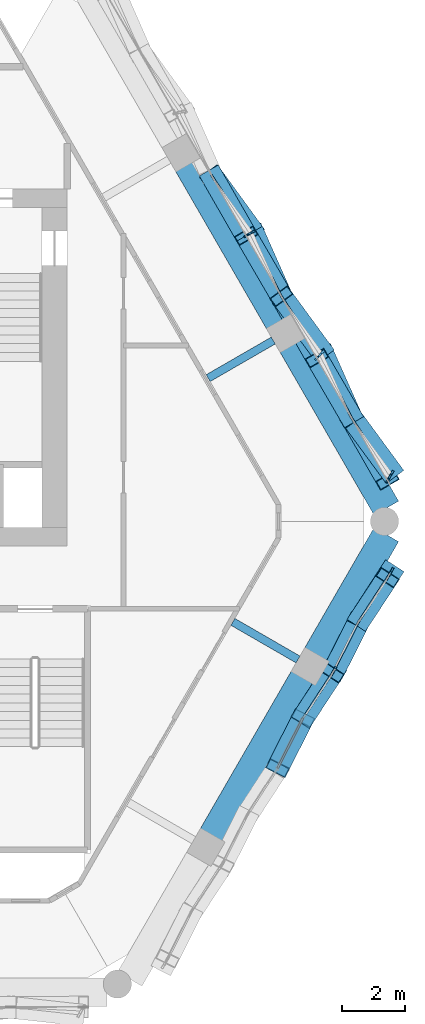
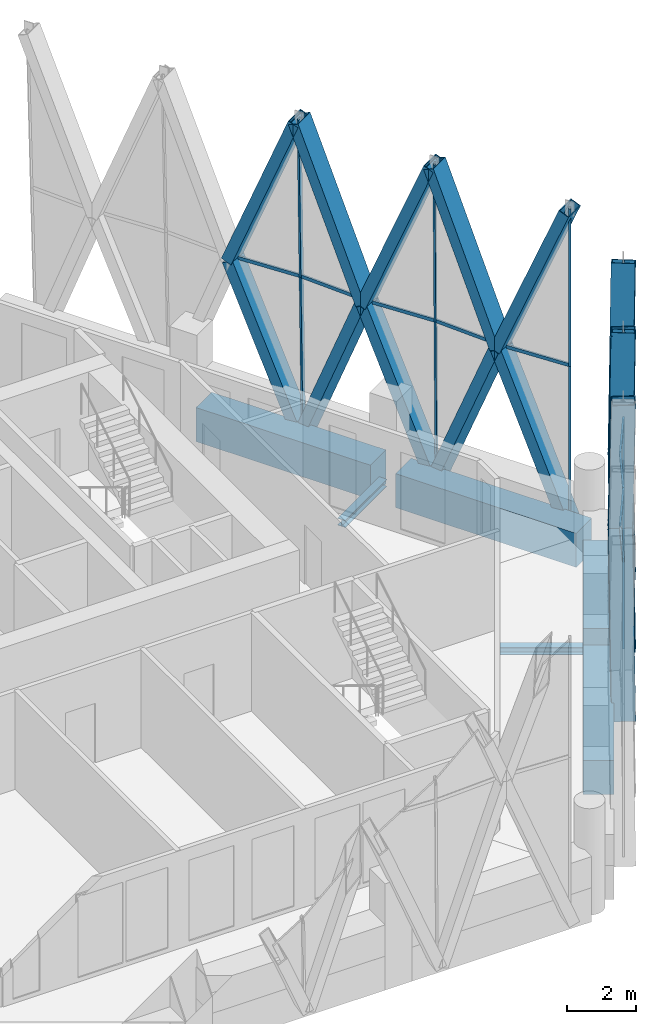
# One storey, part 8 of 21: 37 members, 6 beams, 4 elements without a shape of their own.
"""IFC4 building model written with IfcOpenShell, lengths in metres."""

from ifc_helpers import new_model, si_unit, direction, frame, origin, origin_2d, place, context, subcontext, project, spatial, rectangle, hollow_rectangle, i_section, extrude, material, material_profile, profile_set, type_object, element, aggregate, save


model = new_model("IFC4")

# Units and contexts
model_context = context("Model", 3, precision=1e-05, world=origin(), true_north=direction((0.0, 1.0)))
body_context = subcontext(model_context, "Body", "Model", "MODEL_VIEW")
ifc_project = project(units=[si_unit("LENGTHUNIT", "METRE"), si_unit("AREAUNIT", "SQUARE_METRE"), si_unit("VOLUMEUNIT", "CUBIC_METRE"), si_unit("PLANEANGLEUNIT", "RADIAN"), si_unit("MASSUNIT", "GRAM", prefix="KILO")], contexts=[model_context])

# Site, building, storey
site_placement = place(None, origin())
site = spatial("IfcSite", under=ifc_project, at=site_placement, CompositionType="ELEMENT")
building_placement = place(site_placement, origin())
building = spatial("IfcBuilding", under=site, at=building_placement, Name="Ostrander Bayou Hotel Tower", CompositionType="ELEMENT")
storey_placement = place(building_placement, frame((0.0, 0.0, 256.25)))
storey = spatial("IfcBuildingStorey", under=building, at=storey_placement, Name="L63", CompositionType="ELEMENT", Elevation=256.25)

# Curtain wall, members
ifc_material_1 = material(Name="Aluminium and clear glass", Category="aluminium")
curtain_wall_type = type_object("IfcCurtainWallType", Name="CW-LAT lattice glazing", PredefinedType="NOTDEFINED", material=ifc_material_1)
curtain_wall_1_placement = place(storey_placement, origin())
curtain_wall_1 = element("IfcCurtainWall", 1, at=curtain_wall_1_placement, inside=storey, type_object=curtain_wall_type, Name="CW-LAT L63 SE 1", PredefinedType="NOTDEFINED")
ifc_material_2 = material(Name="Aluminium", Category="aluminium")
ifc_material_profile_1 = material_profile(ifc_material_2, hollow_rectangle(XDim=0.06005859375, YDim=0.159912109375, WallThickness=0.00390625, at=origin_2d()))
ifc_profile_set_1 = profile_set([ifc_material_profile_1], Name="Aluminium")
member_type_1 = type_object("IfcMemberType", Name="CW-LA mullion 60 x 160 mm", PredefinedType="MULLION", material=ifc_profile_set_1)
member_1_placement = place(storey_placement, frame((17.041259765625, -5.623779296875, -0.60009765625), z_axis=(-0.006292904751, -0.010893235121, 0.999920865258), x_axis=(0.865898279276, -0.500220121494, 0.0)))
member_1 = element("IfcMember", 2, at=member_1_placement, type_object=member_type_1, Name="CW-LAT mullion 12", PredefinedType="MULLION", context=body_context, shape_type="SweptSolid", body=[
    extrude(hollow_rectangle(XDim=0.06005859375, YDim=0.159912109375, WallThickness=0.00390625, at=origin_2d()), origin(), (0.0, 0.0, 1.0), 5.62548828125),
])
member_2_placement = place(storey_placement, frame((17.005859375, -5.68505859375, 5.02490234375), z_axis=(-0.00629290177, -0.010936629283, 0.999920391595), x_axis=(0.866757633554, -0.498729590736, 0.0)))
member_2 = element("IfcMember", 3, at=member_2_placement, type_object=member_type_1, Name="CW-LAT mullion 13", PredefinedType="MULLION", context=body_context, shape_type="SweptSolid", body=[
    extrude(hollow_rectangle(XDim=0.06005859375, YDim=0.159912109375, WallThickness=0.00390625, at=origin_2d()), origin(), (0.0, 0.0, 1.0), 5.62548828125),
])
member_3_placement = place(storey_placement, frame((18.866455078125, -2.46240234375, -0.60009765625), z_axis=(-0.012626192954, -0.021824656549, 0.999682081273), x_axis=(0.865583332221, -0.500764909893, 0.0)))
member_3 = element("IfcMember", 4, at=member_3_placement, type_object=member_type_1, Name="CW-LAT mullion 16", PredefinedType="MULLION", context=body_context, shape_type="SweptSolid", body=[
    extrude(hollow_rectangle(XDim=0.06005859375, YDim=0.159912109375, WallThickness=0.00390625, at=origin_2d()), origin(), (0.0, 0.0, 1.0), 5.626708984375),
])
member_4_placement = place(storey_placement, frame((18.79541015625, -2.585205078125, 5.02490234375), z_axis=(-0.012582810856, -0.021824668484, 0.999682627996), x_axis=(0.866328918095, -0.499473928922, 0.0)))
member_4 = element("IfcMember", 5, at=member_4_placement, type_object=member_type_1, Name="CW-LAT mullion 17", PredefinedType="MULLION", context=body_context, shape_type="SweptSolid", body=[
    extrude(hollow_rectangle(XDim=0.06005859375, YDim=0.159912109375, WallThickness=0.00390625, at=origin_2d()), origin(), (0.0, 0.0, 1.0), 5.626708984375),
])
aggregate(curtain_wall_1, [member_1, member_2, member_3, member_4])

curtain_wall_2_placement = place(storey_placement, origin())
curtain_wall_2 = element("IfcCurtainWall", 6, at=curtain_wall_2_placement, inside=storey, type_object=curtain_wall_type, Name="CW-LAT L63 NE 1", PredefinedType="NOTDEFINED")
member_5_placement = place(storey_placement, frame((18.866455078125, 0.640380859375, -0.60009765625), z_axis=(-0.012626204898, -0.021781288175, 0.999683026982), x_axis=(0.865150838603, -0.501511741103, 0.0)))
member_5 = element("IfcMember", 7, at=member_5_placement, type_object=member_type_1, Name="CW-LAT mullion 1", PredefinedType="MULLION", context=body_context, shape_type="SweptSolid", body=[
    extrude(hollow_rectangle(XDim=0.06005859375, YDim=0.159912109375, WallThickness=0.00390625, at=origin_2d()), origin(), (0.0, 0.0, 1.0), 5.626708984375),
])
member_6_placement = place(storey_placement, frame((18.79541015625, 0.517822265625, 5.02490234375), z_axis=(-0.012582810856, -0.021824668484, 0.999682627996), x_axis=(0.866328918095, -0.499473928922, 0.0)))
member_6 = element("IfcMember", 8, at=member_6_placement, type_object=member_type_1, Name="CW-LAT mullion 2", PredefinedType="MULLION", context=body_context, shape_type="SweptSolid", body=[
    extrude(hollow_rectangle(XDim=0.06005859375, YDim=0.159912109375, WallThickness=0.00390625, at=origin_2d()), origin(), (0.0, 0.0, 1.0), 5.626708984375),
])
member_7_placement = place(storey_placement, frame((16.646728515625, 4.485107421875, -0.60009765625), z_axis=(-0.015751145303, -0.016358627491, 0.999742115112), x_axis=(0.720355571769, -0.693604966982, 0.0)))
member_7 = element("IfcMember", 9, at=member_7_placement, type_object=member_type_1, Name="CW-LAT mullion 4", PredefinedType="MULLION", context=body_context, shape_type="SweptSolid", body=[
    extrude(hollow_rectangle(XDim=0.06005859375, YDim=0.159912109375, WallThickness=0.00390625, at=origin_2d()), origin(), (0.0, 0.0, 1.0), 5.62646484375),
])
member_8_placement = place(storey_placement, frame((16.55810546875, 4.39306640625, 5.02490234375), z_axis=(-0.015751134108, -0.016402007418, 0.999741404528), x_axis=(0.721272918752, -0.692650977531, 0.0)))
member_8 = element("IfcMember", 10, at=member_8_placement, type_object=member_type_1, Name="CW-LAT mullion 5", PredefinedType="MULLION", context=body_context, shape_type="SweptSolid", body=[
    extrude(hollow_rectangle(XDim=0.06005859375, YDim=0.159912109375, WallThickness=0.00390625, at=origin_2d()), origin(), (0.0, 0.0, 1.0), 5.62646484375),
])
member_9_placement = place(storey_placement, frame((14.427001953125, 8.32958984375, -0.60009765625), z_axis=(-0.018875715587, -0.010934897306, 0.999762039378), x_axis=(0.501271486133, -0.865290065348, 0.0)))
member_9 = element("IfcMember", 11, at=member_9_placement, type_object=member_type_1, Name="CW-LAT mullion 8", PredefinedType="MULLION", context=body_context, shape_type="SweptSolid", body=[
    extrude(hollow_rectangle(XDim=0.06005859375, YDim=0.159912109375, WallThickness=0.00390625, at=origin_2d()), origin(), (0.0, 0.0, 1.0), 5.626220703125),
])
member_10_placement = place(storey_placement, frame((14.32080078125, 8.26806640625, 5.02490234375), z_axis=(-0.018875724526, -0.010891510014, 0.999762512817), x_axis=(0.499779910804, -0.866152435058, 0.0)))
member_10 = element("IfcMember", 12, at=member_10_placement, type_object=member_type_1, Name="CW-LAT mullion 9", PredefinedType="MULLION", context=body_context, shape_type="SweptSolid", body=[
    extrude(hollow_rectangle(XDim=0.06005859375, YDim=0.159912109375, WallThickness=0.00390625, at=origin_2d()), origin(), (0.0, 0.0, 1.0), 5.626220703125),
])
aggregate(curtain_wall_2, [member_5, member_6, member_7, member_8, member_9, member_10])

curtain_wall_3_placement = place(storey_placement, origin())
curtain_wall_3 = element("IfcCurtainWall", 13, at=curtain_wall_3_placement, inside=storey, type_object=curtain_wall_type, Name="CW-LAT L63 SE 2", PredefinedType="NOTDEFINED")
ifc_material_3 = material(Name="Aluminium", Category="aluminium")
ifc_material_profile_2 = material_profile(ifc_material_3, hollow_rectangle(XDim=0.06005859375, YDim=0.1201171875, WallThickness=0.00390625, at=origin_2d()))
ifc_profile_set_2 = profile_set([ifc_material_profile_2], Name="Aluminium")
member_type_2 = type_object("IfcMemberType", Name="CW-LA transom 60 x 120 mm", PredefinedType="USERDEFINED", material=ifc_profile_set_2)
member_11_placement = place(storey_placement, frame((15.216064453125, -8.784912109375, 5.02490234375), z_axis=(0.453088894206, 0.891465340856, 0.0), x_axis=(-0.891465340856, 0.453088894206, 0.0)))
member_11 = element("IfcMember", 14, at=member_11_placement, type_object=member_type_2, Name="CW-LAT transom 11", ObjectType="TRANSOM", PredefinedType="USERDEFINED", context=body_context, shape_type="SweptSolid", body=[
    extrude(hollow_rectangle(XDim=0.06005859375, YDim=0.1201171875, WallThickness=0.00390625, at=origin_2d()), origin(), (0.0, 0.0, 1.0), 1.792236328125),
])
member_12_placement = place(storey_placement, frame((17.005859375, -5.68505859375, 5.02490234375), z_axis=(-0.545519674229, -0.838098016362, 0.0), x_axis=(0.838098016362, -0.545519674229, 0.0)))
member_12 = element("IfcMember", 15, at=member_12_placement, type_object=member_type_2, Name="CW-LAT transom 14", ObjectType="TRANSOM", PredefinedType="USERDEFINED", context=body_context, shape_type="SweptSolid", body=[
    extrude(hollow_rectangle(XDim=0.06005859375, YDim=0.1201171875, WallThickness=0.00390625, at=origin_2d()), origin(), (0.0, 0.0, 1.0), 1.79248046875),
])
member_13_placement = place(storey_placement, frame((17.005859375, -5.68505859375, 5.02490234375), z_axis=(0.453088894206, 0.891465340856, 0.0), x_axis=(-0.891465340856, 0.453088894206, 0.0)))
member_13 = element("IfcMember", 16, at=member_13_placement, type_object=member_type_2, Name="CW-LAT transom 15", ObjectType="TRANSOM", PredefinedType="USERDEFINED", context=body_context, shape_type="SweptSolid", body=[
    extrude(hollow_rectangle(XDim=0.06005859375, YDim=0.1201171875, WallThickness=0.00390625, at=origin_2d()), origin(), (0.0, 0.0, 1.0), 1.792236328125),
])
member_14_placement = place(storey_placement, frame((18.79541015625, -2.585205078125, 5.02490234375), z_axis=(-0.545423988773, -0.83816029044, 0.0), x_axis=(0.83816029044, -0.545423988773, 0.0)))
member_14 = element("IfcMember", 17, at=member_14_placement, type_object=member_type_2, Name="CW-LAT transom 18", ObjectType="TRANSOM", PredefinedType="USERDEFINED", context=body_context, shape_type="SweptSolid", body=[
    extrude(hollow_rectangle(XDim=0.06005859375, YDim=0.1201171875, WallThickness=0.00390625, at=origin_2d()), origin(), (0.0, 0.0, 1.0), 1.792236328125),
])
aggregate(curtain_wall_3, [member_11, member_12, member_13, member_14])

curtain_wall_4_placement = place(storey_placement, origin())
curtain_wall_4 = element("IfcCurtainWall", 18, at=curtain_wall_4_placement, inside=storey, type_object=curtain_wall_type, Name="CW-LAT L63 NE 2", PredefinedType="NOTDEFINED")
member_15_placement = place(storey_placement, frame((18.79541015625, 0.517822265625, 5.02490234375), z_axis=(-0.544245005542, 0.838926322118, 0.0), x_axis=(-0.838926322118, -0.544245005542, 0.0)))
member_15 = element("IfcMember", 19, at=member_15_placement, type_object=member_type_2, Name="CW-LAT transom 3", ObjectType="TRANSOM", PredefinedType="USERDEFINED", context=body_context, shape_type="SweptSolid", body=[
    extrude(hollow_rectangle(XDim=0.06005859375, YDim=0.1201171875, WallThickness=0.00390625, at=origin_2d()), origin(), (0.0, 0.0, 1.0), 2.240234375),
])
member_16_placement = place(storey_placement, frame((16.55810546875, 4.39306640625, 5.02490234375), z_axis=(0.454390937547, -0.890802377565, 0.0), x_axis=(0.890802377565, 0.454390937547, 0.0)))
member_16 = element("IfcMember", 20, at=member_16_placement, type_object=member_type_2, Name="CW-LAT transom 6", ObjectType="TRANSOM", PredefinedType="USERDEFINED", context=body_context, shape_type="SweptSolid", body=[
    extrude(hollow_rectangle(XDim=0.06005859375, YDim=0.1201171875, WallThickness=0.00390625, at=origin_2d()), origin(), (0.0, 0.0, 1.0), 2.240478515625),
])
member_17_placement = place(storey_placement, frame((16.55810546875, 4.39306640625, 5.02490234375), z_axis=(-0.544245005542, 0.838926322118, 0.0), x_axis=(-0.838926322118, -0.544245005542, 0.0)))
member_17 = element("IfcMember", 21, at=member_17_placement, type_object=member_type_2, Name="CW-LAT transom 7", ObjectType="TRANSOM", PredefinedType="USERDEFINED", context=body_context, shape_type="SweptSolid", body=[
    extrude(hollow_rectangle(XDim=0.06005859375, YDim=0.1201171875, WallThickness=0.00390625, at=origin_2d()), origin(), (0.0, 0.0, 1.0), 2.240234375),
])
member_18_placement = place(storey_placement, frame((14.32080078125, 8.26806640625, 5.02490234375), z_axis=(0.454435047978, -0.890779875822, 0.0), x_axis=(0.890779875822, 0.454435047978, 0.0)))
member_18 = element("IfcMember", 22, at=member_18_placement, type_object=member_type_2, Name="CW-LAT transom 10", ObjectType="TRANSOM", PredefinedType="USERDEFINED", context=body_context, shape_type="SweptSolid", body=[
    extrude(hollow_rectangle(XDim=0.06005859375, YDim=0.1201171875, WallThickness=0.00390625, at=origin_2d()), origin(), (0.0, 0.0, 1.0), 2.240234375),
])
member_19_placement = place(storey_placement, frame((14.32080078125, 8.26806640625, 5.02490234375), z_axis=(-0.544271942736, 0.83890884627, 0.0), x_axis=(-0.83890884627, -0.544271942736, 0.0)))
member_19 = element("IfcMember", 23, at=member_19_placement, type_object=member_type_2, Name="CW-LAT transom 11", ObjectType="TRANSOM", PredefinedType="USERDEFINED", context=body_context, shape_type="SweptSolid", body=[
    extrude(hollow_rectangle(XDim=0.06005859375, YDim=0.1201171875, WallThickness=0.00390625, at=origin_2d()), origin(), (0.0, 0.0, 1.0), 2.240478515625),
])
aggregate(curtain_wall_4, [member_15, member_16, member_17, member_18, member_19])

# Beams
ifc_material_4 = material(Name="Steel ASTM A992", Category="steel")
ifc_material_profile_3 = material_profile(ifc_material_4, i_section(OverallWidth=0.25390625, OverallDepth=0.25341796875, WebThickness=0.008544921875, FlangeThickness=0.01416015625, at=origin_2d()))
ifc_profile_set_3 = profile_set([ifc_material_profile_3], Name="Steel ASTM A992")
beam_type_1 = type_object("IfcBeamType", Name="LB2 loggia bracket W10x49", PredefinedType="BEAM", material=ifc_profile_set_3)
beam_1_placement = place(storey_placement, frame((15.867431640625, -5.316650390625, -0.4267578125), z_axis=(-0.866024647952, 0.500001309137, 0.0), x_axis=(-0.500001309137, -0.866024647952, 0.0)))
element("IfcBeam", 24, at=beam_1_placement, inside=storey, type_object=beam_type_1, Name="LB2 L63 SE2", PredefinedType="BEAM", context=body_context, shape_type="SweptSolid", body=[
    extrude(i_section(OverallWidth=0.25390625, OverallDepth=0.25341796875, WebThickness=0.008544921875, FlangeThickness=0.01416015625, at=origin_2d()), origin(), (0.0, 0.0, 1.0), 2.39990234375),
])
beam_2_placement = place(storey_placement, frame((15.07861328125, 4.861083984375, -0.4267578125), z_axis=(-0.866050077142, -0.499957262057, 0.0), x_axis=(0.499957262057, -0.866050077142, 0.0)))
element("IfcBeam", 25, at=beam_2_placement, inside=storey, type_object=beam_type_1, Name="LB2 L63 NE1", PredefinedType="BEAM", context=body_context, shape_type="SweptSolid", body=[
    extrude(i_section(OverallWidth=0.25390625, OverallDepth=0.25341796875, WebThickness=0.008544921875, FlangeThickness=0.01416015625, at=origin_2d()), origin(), (0.0, 0.0, 1.0), 2.400146484375),
])

# Members
ifc_material_5 = material(Name="Steel ASTM A572 Gr 50", Category="steel")
ifc_material_profile_4 = material_profile(ifc_material_5, hollow_rectangle(XDim=0.699951171875, YDim=0.35009765625, WallThickness=0.02490234375, at=origin_2d()))
ifc_profile_set_4 = profile_set([ifc_material_profile_4], Name="Steel ASTM A572 Gr 50")
member_type_3 = type_object("IfcMemberType", Name="LT1 lattice member box 700 x 350 x 25 mm", PredefinedType="BRACE", material=ifc_profile_set_4)
for number, where, z_axis, x_axis, name in (
    (26, (16.028076171875, -7.187255859375, 5.02490234375), (-0.137545177887, -0.270624066173, -0.952808448141), (0.891465340856, -0.453088894206, 0.0), "LT1 L63 SE 9"),
    (27, (16.028076171875, -7.187255859375, 5.02490234375), (-0.137545177887, -0.270624066173, 0.952808448141), (0.891465340856, -0.453088894206, 0.0), "LT1 L63 SE 10"),
):
    element("IfcMember", number, at=place(storey_placement, frame(where, z_axis=z_axis, x_axis=x_axis)), inside=storey, type_object=member_type_3, Name=name, PredefinedType="BRACE", context=body_context, shape_type="SweptSolid", body=[
        extrude(hollow_rectangle(XDim=0.699951171875, YDim=0.35009765625, WallThickness=0.02490234375, at=origin_2d()), origin(), (0.0, 0.0, 1.0), 5.903564453125),
    ])
member_20_placement = place(storey_placement, frame((16.028076171875, -7.187255859375, 5.02490234375), z_axis=(0.170986839235, 0.263855353846, -0.949285970114), x_axis=(-0.839197287019, 0.543827098865, 0.0)))
element("IfcMember", 28, at=member_20_placement, inside=storey, type_object=member_type_3, Name="LT1 L63 SE 11", PredefinedType="BRACE", context=body_context, shape_type="SweptSolid", body=[
    extrude(hollow_rectangle(XDim=0.699951171875, YDim=0.35009765625, WallThickness=0.02490234375, at=origin_2d()), origin(), (0.0, 0.0, 1.0), 5.925537109375),
])
for number, where, z_axis, x_axis, name in (
    (29, (16.028076171875, -7.187255859375, 5.02490234375), (0.160200042577, 0.244906852654, 0.956219943256), (-0.836862169626, 0.547413654424, 0.0), "LT1 L63 SE 12"),
    (30, (17.81787109375, -4.08740234375, 5.02490234375), (-0.132019865957, -0.261176050445, -0.956220594668), (0.892461536076, -0.451123493764, 0.0), "LT1 L63 SE 13"),
):
    element("IfcMember", number, at=place(storey_placement, frame(where, z_axis=z_axis, x_axis=x_axis)), inside=storey, type_object=member_type_3, Name=name, PredefinedType="BRACE", context=body_context, shape_type="SweptSolid", body=[
        extrude(hollow_rectangle(XDim=0.699951171875, YDim=0.35009765625, WallThickness=0.02490234375, at=origin_2d()), origin(), (0.0, 0.0, 1.0), 5.882568359375),
    ])
member_21_placement = place(storey_placement, frame((17.81787109375, -4.08740234375, 5.02490234375), z_axis=(-0.143010951676, -0.280006461421, 0.949286178801), x_axis=(0.890567995839, -0.454850134426, 0.0)))
element("IfcMember", 31, at=member_21_placement, inside=storey, type_object=member_type_3, Name="LT1 L63 SE 14", PredefinedType="BRACE", context=body_context, shape_type="SweptSolid", body=[
    extrude(hollow_rectangle(XDim=0.699951171875, YDim=0.35009765625, WallThickness=0.02490234375, at=origin_2d()), origin(), (0.0, 0.0, 1.0), 5.925537109375),
])
member_22_placement = place(storey_placement, frame((17.81787109375, -4.08740234375, 5.02490234375), z_axis=(0.176286692119, 0.273193066996, -0.945668308831), x_axis=(-0.840250267661, 0.542198752945, 0.0)))
element("IfcMember", 32, at=member_22_placement, inside=storey, type_object=member_type_3, Name="LT1 L63 SE 15", PredefinedType="BRACE", context=body_context, shape_type="SweptSolid", body=[
    extrude(hollow_rectangle(XDim=0.699951171875, YDim=0.35009765625, WallThickness=0.02490234375, at=origin_2d()), origin(), (0.0, 0.0, 1.0), 5.9482421875),
])
member_23_placement = place(storey_placement, frame((17.81787109375, -4.08740234375, 5.02490234375), z_axis=(0.154675111336, 0.235302740724, 0.95953542412), x_axis=(-0.835627896196, 0.549295930349, 0.0)))
element("IfcMember", 33, at=member_23_placement, inside=storey, type_object=member_type_3, Name="LT1 L63 SE 16", PredefinedType="BRACE", context=body_context, shape_type="SweptSolid", body=[
    extrude(hollow_rectangle(XDim=0.699951171875, YDim=0.35009765625, WallThickness=0.02490234375, at=origin_2d()), origin(), (0.0, 0.0, 1.0), 5.8623046875),
])
member_24_placement = place(storey_placement, frame((17.576171875, 2.397216796875, 5.02490234375), z_axis=(0.213886074507, -0.291225012707, -0.932438061807), x_axis=(0.805981051021, 0.59194133611, 0.0)))
element("IfcMember", 34, at=member_24_placement, inside=storey, type_object=member_type_3, Name="LT1 L63 NE 1", PredefinedType="BRACE", context=body_context, shape_type="SweptSolid", body=[
    extrude(hollow_rectangle(XDim=0.699951171875, YDim=0.35009765625, WallThickness=0.02490234375, at=origin_2d()), origin(), (0.0, 0.0, 1.0), 6.032470703125),
])
member_25_placement = place(storey_placement, frame((17.576171875, 2.397216796875, 5.02490234375), z_axis=(0.188882822207, -0.329300175365, 0.925140353665), x_axis=(0.867434872711, 0.497550742743, 0.0)))
element("IfcMember", 35, at=member_25_placement, inside=storey, type_object=member_type_3, Name="LT1 L63 NE 2", PredefinedType="BRACE", context=body_context, shape_type="SweptSolid", body=[
    extrude(hollow_rectangle(XDim=0.699951171875, YDim=0.35009765625, WallThickness=0.02490234375, at=origin_2d()), origin(), (0.0, 0.0, 1.0), 6.080078125),
])
member_26_placement = place(storey_placement, frame((17.576171875, 2.397216796875, 5.02490234375), z_axis=(-0.15308160692, 0.343880720353, -0.926451332663), x_axis=(-0.913569102061, -0.406683532688, 0.0)))
element("IfcMember", 36, at=member_26_placement, inside=storey, type_object=member_type_3, Name="LT1 L63 NE 3", PredefinedType="BRACE", context=body_context, shape_type="SweptSolid", body=[
    extrude(hollow_rectangle(XDim=0.699951171875, YDim=0.35009765625, WallThickness=0.02490234375, at=origin_2d()), origin(), (0.0, 0.0, 1.0), 6.071533203125),
])
member_27_placement = place(storey_placement, frame((17.576171875, 2.397216796875, 5.02490234375), z_axis=(-0.183208290592, 0.315127959794, 0.931197664953), x_axis=(-0.864513909187, -0.502608894491, 0.0)))
element("IfcMember", 37, at=member_27_placement, inside=storey, type_object=member_type_3, Name="LT1 L63 NE 4", PredefinedType="BRACE", context=body_context, shape_type="SweptSolid", body=[
    extrude(hollow_rectangle(XDim=0.699951171875, YDim=0.35009765625, WallThickness=0.02490234375, at=origin_2d()), origin(), (0.0, 0.0, 1.0), 6.04052734375),
])
member_28_placement = place(storey_placement, frame((15.3388671875, 6.2724609375, 5.02490234375), z_axis=(0.216343178657, -0.295659587632, -0.930473555395), x_axis=(0.807021356526, 0.590522252003, 0.0)))
element("IfcMember", 38, at=member_28_placement, inside=storey, type_object=member_type_3, Name="LT1 L63 NE 5", PredefinedType="BRACE", context=body_context, shape_type="SweptSolid", body=[
    extrude(hollow_rectangle(XDim=0.699951171875, YDim=0.35009765625, WallThickness=0.02490234375, at=origin_2d()), origin(), (0.0, 0.0, 1.0), 6.04541015625),
])
member_29_placement = place(storey_placement, frame((15.3388671875, 6.2724609375, 5.02490234375), z_axis=(0.186360104934, -0.324993350777, 0.927172709499), x_axis=(0.867495200696, 0.497445551563, 0.0)))
element("IfcMember", 39, at=member_29_placement, inside=storey, type_object=member_type_3, Name="LT1 L63 NE 6", PredefinedType="BRACE", context=body_context, shape_type="SweptSolid", body=[
    extrude(hollow_rectangle(XDim=0.699951171875, YDim=0.35009765625, WallThickness=0.02490234375, at=origin_2d()), origin(), (0.0, 0.0, 1.0), 6.06689453125),
])
member_30_placement = place(storey_placement, frame((15.3388671875, 6.2724609375, 5.02490234375), z_axis=(-0.150513181786, 0.339551290423, -0.928466856318), x_axis=(-0.914209310493, -0.405242318383, 0.0)))
element("IfcMember", 40, at=member_30_placement, inside=storey, type_object=member_type_3, Name="LT1 L63 NE 7", PredefinedType="BRACE", context=body_context, shape_type="SweptSolid", body=[
    extrude(hollow_rectangle(XDim=0.699951171875, YDim=0.35009765625, WallThickness=0.02490234375, at=origin_2d()), origin(), (0.0, 0.0, 1.0), 6.058349609375),
])
member_31_placement = place(storey_placement, frame((15.3388671875, 6.2724609375, 5.02490234375), z_axis=(-0.185718467953, 0.319532556263, 0.929197285914), x_axis=(-0.864573340451, -0.502506655658, 0.0)))
element("IfcMember", 41, at=member_31_placement, inside=storey, type_object=member_type_3, Name="LT1 L63 NE 8", PredefinedType="BRACE", context=body_context, shape_type="SweptSolid", body=[
    extrude(hollow_rectangle(XDim=0.699951171875, YDim=0.35009765625, WallThickness=0.02490234375, at=origin_2d()), origin(), (0.0, 0.0, 1.0), 6.0537109375),
])
member_32_placement = place(storey_placement, frame((13.101318359375, 10.147705078125, 5.02490234375), z_axis=(0.218819247618, -0.300100725048, -0.928470619728), x_axis=(0.808012910691, 0.589164778442, 0.0)))
element("IfcMember", 42, at=member_32_placement, inside=storey, type_object=member_type_3, Name="LT1 L63 NE 9", PredefinedType="BRACE", context=body_context, shape_type="SweptSolid", body=[
    extrude(hollow_rectangle(XDim=0.699951171875, YDim=0.35009765625, WallThickness=0.02490234375, at=origin_2d()), origin(), (0.0, 0.0, 1.0), 6.058349609375),
])
member_33_placement = place(storey_placement, frame((13.101318359375, 10.147705078125, 5.02490234375), z_axis=(0.183901214779, -0.32061724945, 0.9291850852), x_axis=(0.867436250835, 0.497548340101, 0.0)))
element("IfcMember", 43, at=member_33_placement, inside=storey, type_object=member_type_3, Name="LT1 L63 NE 10", PredefinedType="BRACE", context=body_context, shape_type="SweptSolid", body=[
    extrude(hollow_rectangle(XDim=0.699951171875, YDim=0.35009765625, WallThickness=0.02490234375, at=origin_2d()), origin(), (0.0, 0.0, 1.0), 6.0537109375),
])

# Beams
ifc_material_6 = material(Name="Concrete f'c 60 MPa", Category="concrete")
ifc_material_profile_5 = material_profile(ifc_material_6, rectangle(XDim=0.89990234375, YDim=1.199951171875, at=origin_2d()))
ifc_profile_set_5 = profile_set([ifc_material_profile_5], Name="Concrete f'c 60 MPa")
beam_type_2 = type_object("IfcBeamType", Name="SP4 spandrel beam 900 x 1200 mm f'c 60 MPa", PredefinedType="SPANDREL", material=ifc_profile_set_5)
beam_3_placement = place(storey_placement, frame((13.1376953125, -10.944580078125, -0.60009765625), z_axis=(0.500015433515, 0.866016493057, 0.0), x_axis=(-0.866016493057, 0.500015433515, 0.0)))
element("IfcBeam", 44, at=beam_3_placement, inside=storey, type_object=beam_type_2, Name="SP4 L63 SE-2", PredefinedType="SPANDREL", context=body_context, shape_type="SweptSolid", body=[
    extrude(rectangle(XDim=0.89990234375, YDim=1.199951171875, at=origin_2d()), origin(), (0.0, 0.0, 1.0), 5.818603515625),
])
beam_4_placement = place(storey_placement, frame((16.46728515625, -5.177978515625, -0.60009765625), z_axis=(0.499971567444, 0.866041818706, 0.0), x_axis=(-0.866041818706, 0.499971567444, 0.0)))
element("IfcBeam", 45, at=beam_4_placement, inside=storey, type_object=beam_type_2, Name="SP4 L63 SE-3", PredefinedType="SPANDREL", context=body_context, shape_type="SweptSolid", body=[
    extrude(rectangle(XDim=0.89990234375, YDim=1.199951171875, at=origin_2d()), origin(), (0.0, 0.0, 1.0), 4.439697265625),
])
beam_5_placement = place(storey_placement, frame((18.68701171875, -0.489013671875, -0.60009765625), z_axis=(-0.499996383721, 0.866027491634, 0.0), x_axis=(-0.866027491634, -0.499996383721, 0.0)))
element("IfcBeam", 46, at=beam_5_placement, inside=storey, type_object=beam_type_2, Name="SP4 L63 NE-1", PredefinedType="SPANDREL", context=body_context, shape_type="SweptSolid", body=[
    extrude(rectangle(XDim=0.89990234375, YDim=1.199951171875, at=origin_2d()), origin(), (0.0, 0.0, 1.0), 6.017578125),
])
beam_6_placement = place(storey_placement, frame((15.25830078125, 5.449951171875, -0.60009765625), z_axis=(-0.500015433515, 0.866016493057, 0.0), x_axis=(-0.866016493057, -0.500015433515, 0.0)))
element("IfcBeam", 47, at=beam_6_placement, inside=storey, type_object=beam_type_2, Name="SP4 L63 NE-2", PredefinedType="SPANDREL", context=body_context, shape_type="SweptSolid", body=[
    extrude(rectangle(XDim=0.89990234375, YDim=1.199951171875, at=origin_2d()), origin(), (0.0, 0.0, 1.0), 5.818603515625),
])

save(model, "model.ifc")
